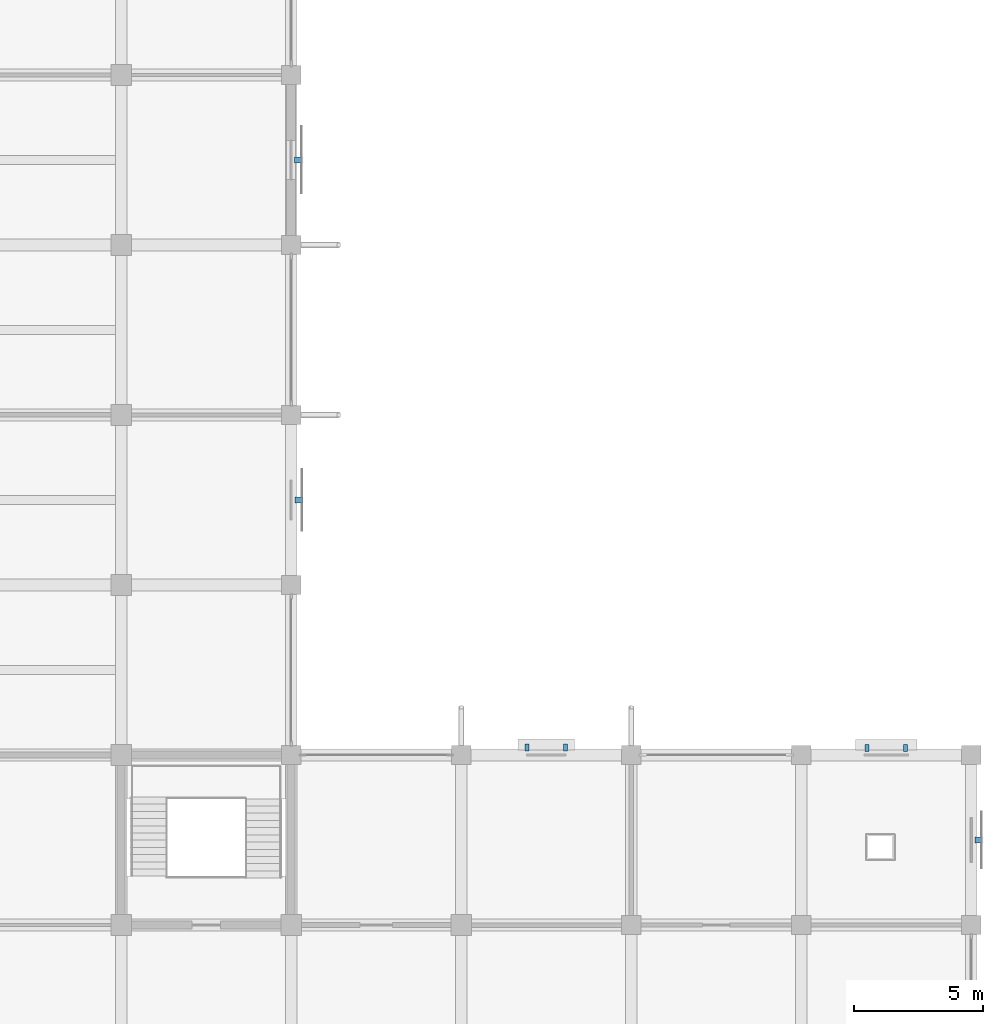
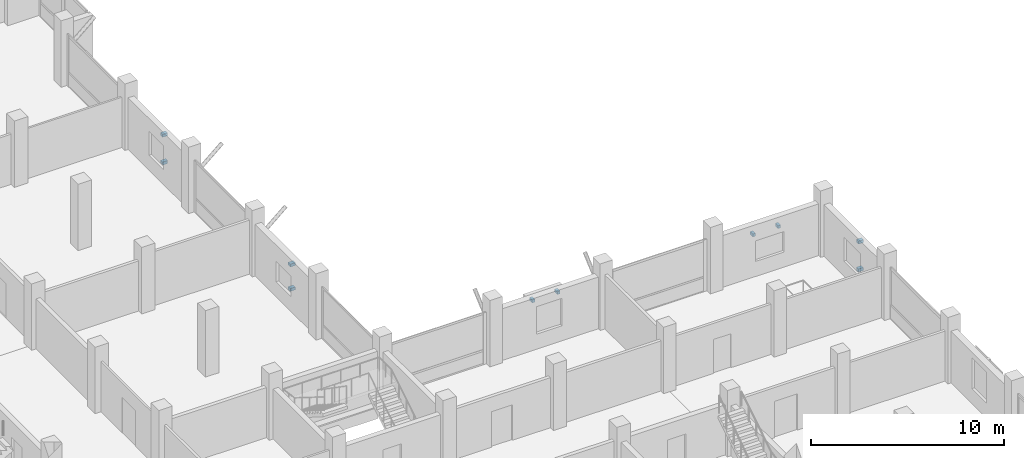
# One storey, part 15 of 18: 10 discrete accessories.
"""IFC4 building model written with IfcOpenShell, lengths in metres."""

from ifc_helpers import new_model, si_unit, direction, frame, origin, origin_2d, place, context, subcontext, project, spatial, rectangle, extrude, material, type_object, element, save


model = new_model("IFC4")

# Units and contexts
model_context = context("Model", 3, precision=1e-05, world=origin(), true_north=direction((0.0, 1.0)))
body_context = subcontext(model_context, "Body", "Model", "MODEL_VIEW")
ifc_project = project(units=[si_unit("LENGTHUNIT", "METRE"), si_unit("AREAUNIT", "SQUARE_METRE"), si_unit("VOLUMEUNIT", "CUBIC_METRE"), si_unit("PLANEANGLEUNIT", "RADIAN"), si_unit("MASSUNIT", "GRAM", prefix="KILO")], contexts=[model_context])

# Site, building, storey
site_placement = place(None, origin())
site = spatial("IfcSite", under=ifc_project, at=site_placement, CompositionType="ELEMENT")
building_placement = place(site_placement, origin())
building = spatial("IfcBuilding", under=site, at=building_placement, Name="Rusizi Kubbe Research Institute", CompositionType="ELEMENT")
storey_placement = place(building_placement, frame((0.0, 0.0, 22.800048828125)))
storey = spatial("IfcBuildingStorey", under=building, at=storey_placement, Name="L05", CompositionType="ELEMENT", Elevation=22.800048828125)

# Discrete accessories
ifc_material_1 = material(Name="Steel S355", Category="steel")
discrete_accessory_type_1 = type_object("IfcDiscreteAccessoryType", Name="BK-01", PredefinedType="BRACKET", material=ifc_material_1)
for number, where, z_axis, x_axis, name in (
    (1, (26.702392578125, 36.300048828125, 0.73974609375), (0.0, 0.0, 1.0), (1.0, 0.0, 0.0), "Solar Screen Bracket 48-1"),
    (2, (26.702392578125, 36.300048828125, 2.27978515625), (0.0, 0.0, 1.0), (1.0, 0.0, 0.0), "Solar Screen Bracket 48-2"),
    (3, (26.6875, 49.5, 0.73974609375), (0.0, 0.0, 1.0), (1.0, 0.0, 0.0), "Solar Screen Bracket 49-1"),
    (4, (26.6875, 49.5, 2.5), (0.0, 0.0, 1.0), (1.0, 0.0, 0.0), "Solar Screen Bracket 49-2"),
    (5, (53.08740234375, 23.10009765625, 0.73974609375), (0.0, 0.0, 1.0), (1.0, 0.0, 0.0), "Solar Screen Bracket 51-1"),
    (6, (53.08740234375, 23.10009765625, 2.5), (0.0, 0.0, 1.0), (1.0, 0.0, 0.0), "Solar Screen Bracket 51-2"),
):
    element("IfcDiscreteAccessory", number, at=place(storey_placement, frame(where, z_axis=z_axis, x_axis=x_axis)), inside=storey, type_object=discrete_accessory_type_1, Name=name, PredefinedType="BRACKET", context=body_context, shape_type="SweptSolid", body=[
        extrude(rectangle(XDim=0.300048828125, YDim=0.219970703125, at=origin_2d()), origin(), (0.0, 0.0, 1.0), 0.179931640625),
    ])
ifc_material_2 = material(Name="Steel S355", Category="steel")
discrete_accessory_type_2 = type_object("IfcDiscreteAccessoryType", Name="BK-02", PredefinedType="BRACKET", material=ifc_material_2)
for number, where, z_axis, x_axis, name in (
    (7, (35.550048828125, 26.6923828125, 2.73974609375), (0.0, 0.0, 1.0), (1.0, 0.0, 0.0), "Louver Canopy Bracket 35-1"),
    (8, (37.050048828125, 26.6923828125, 2.73974609375), (0.0, 0.0, 1.0), (1.0, 0.0, 0.0), "Louver Canopy Bracket 35-2"),
    (9, (48.75, 26.677490234375, 2.2998046875), (0.0, 0.0, 1.0), (1.0, 0.0, 0.0), "Louver Canopy Bracket 36-1"),
    (10, (50.25, 26.677490234375, 2.2998046875), (0.0, 0.0, 1.0), (1.0, 0.0, 0.0), "Louver Canopy Bracket 36-2"),
):
    element("IfcDiscreteAccessory", number, at=place(storey_placement, frame(where, z_axis=z_axis, x_axis=x_axis)), inside=storey, type_object=discrete_accessory_type_2, Name=name, PredefinedType="BRACKET", context=body_context, shape_type="SweptSolid", body=[
        extrude(rectangle(XDim=0.159912109375, YDim=0.280029296875, at=origin_2d()), origin(), (0.0, 0.0, 1.0), 0.179931640625),
    ])

save(model, "model.ifc")
